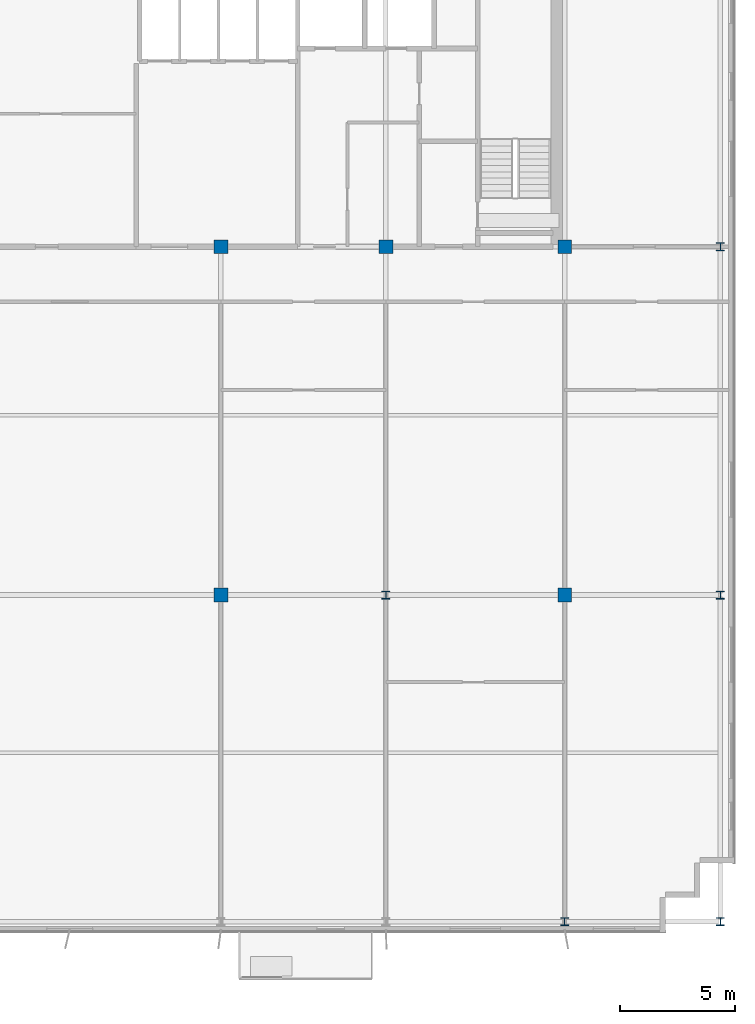
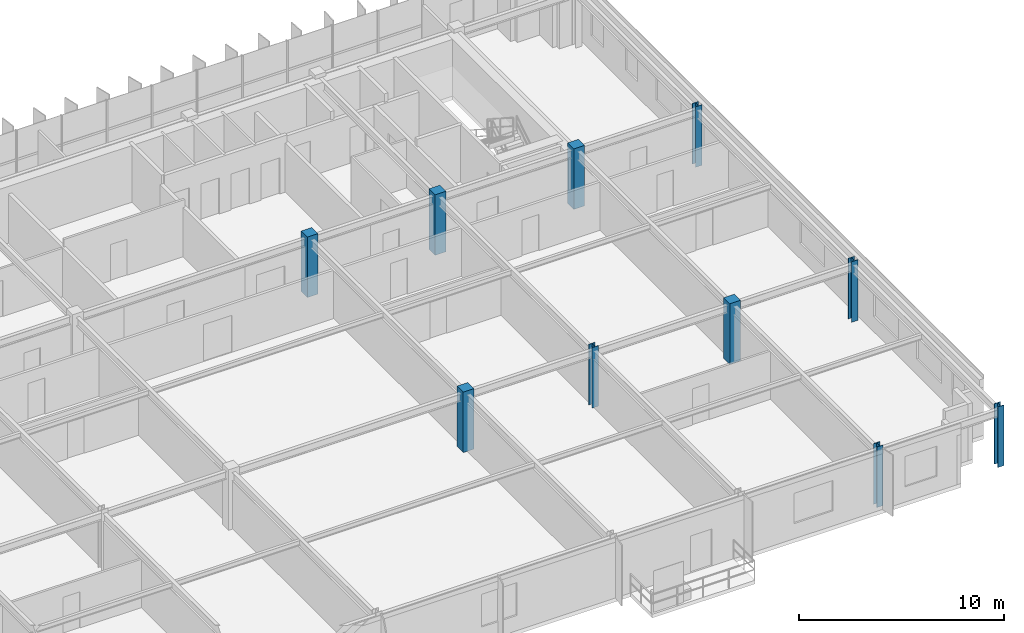
# One storey, part 2 of 21: 10 columns.
"""IFC4 building model written with IfcOpenShell, lengths in metres."""

from ifc_helpers import new_model, si_unit, direction, frame, origin, origin_2d, place, context, subcontext, project, spatial, rectangle, i_section, extrude, source, transform, mapped, material, material_profile, profile_set, type_object, element, save


model = new_model("IFC4")

# Units and contexts
model_context = context("Model", 3, precision=1e-05, world=origin(), true_north=direction((0.0, 1.0)))
body_context = subcontext(model_context, "Body", "Model", "MODEL_VIEW")
ifc_project = project(units=[si_unit("LENGTHUNIT", "METRE"), si_unit("AREAUNIT", "SQUARE_METRE"), si_unit("VOLUMEUNIT", "CUBIC_METRE"), si_unit("PLANEANGLEUNIT", "RADIAN"), si_unit("MASSUNIT", "GRAM", prefix="KILO")], contexts=[model_context])

# Site, building, storey
site_placement = place(None, origin())
site = spatial("IfcSite", under=ifc_project, at=site_placement, CompositionType="ELEMENT")
building_placement = place(site_placement, origin())
building = spatial("IfcBuilding", under=site, at=building_placement, Name="Trelvane Seafront Commons", CompositionType="ELEMENT")
storey_placement = place(building_placement, frame((0.0, 0.0, 252.300048828125)))
storey = spatial("IfcBuildingStorey", under=building, at=storey_placement, Name="L65", CompositionType="ELEMENT", Elevation=252.300048828125)

# Columns
ifc_material_1 = material(Name="Steel SM355 (S355)", Category="steel")
ifc_material_profile_1 = material_profile(ifc_material_1, i_section(OverallWidth=0.35009765625, OverallDepth=0.35009765625, WebThickness=0.01806640625, FlangeThickness=0.028076171875, at=origin_2d()), Name="HD-350x350x18x28")
ifc_profile_set_1 = profile_set([ifc_material_profile_1], Name="Steel SM355 (S355)")
column_type_1 = type_object("IfcColumnType", Name="STR-COL-HD350", PredefinedType="COLUMN", material=ifc_profile_set_1)
shared_shape_1 = source(origin(), body_context, "Body", "SweptSolid", [
    extrude(i_section(OverallWidth=0.35009765625, OverallDepth=0.35009765625, WebThickness=0.01806640625, FlangeThickness=0.028076171875, at=origin_2d()), origin(), (0.0, 0.0, 1.0), 3.599853515625),
])
for number, where, z_axis, x_axis, name in (
    (1, (51.0, 18.199951171875, 0.0), (0.0, 0.0, 1.0), (1.0, 0.0, 0.0), "L65 Column TC-M51.0"),
    (2, (58.800048828125, 3.949951171875, 0.0), (0.0, 0.0, 1.0), (1.0, 0.0, 0.0), "L65 Column TC-S58.8"),
    (3, (65.60009765625, 3.949951171875, 0.0), (0.0, 0.0, 1.0), (1.0, 0.0, 0.0), "L65 Column TC-S65.6"),
    (4, (65.60009765625, 18.199951171875, 0.0), (0.0, 0.0, 1.0), (1.0, 0.0, 0.0), "L65 Column TC-M65.6"),
    (5, (65.60009765625, 33.39990234375, 0.0), (0.0, 0.0, 1.0), (1.0, 0.0, 0.0), "L65 Column TC-CS65.6"),
):
    element("IfcColumn", number, at=place(storey_placement, frame(where, z_axis=z_axis, x_axis=x_axis)), inside=storey, type_object=column_type_1, Name=name, PredefinedType="COLUMN", context=body_context, shape_type="MappedRepresentation", body=[
        mapped(shared_shape_1, transform((0.0, 0.0, 0.0), x_axis=(1.0, 0.0, 0.0), y_axis=(0.0, 1.0, 0.0), z_axis=(0.0, 0.0, 1.0), scale=1.0)),
    ])
ifc_material_2 = material(Name="Concrete C50/60", Category="concrete")
ifc_material_profile_2 = material_profile(ifc_material_2, rectangle(XDim=0.60009765625, YDim=0.60009765625, at=origin_2d()), Name="RC-600x600")
ifc_profile_set_2 = profile_set([ifc_material_profile_2], Name="Concrete C50/60")
column_type_2 = type_object("IfcColumnType", Name="STR-COL-RC600", PredefinedType="COLUMN", material=ifc_profile_set_2)
shared_shape_2 = source(origin(), body_context, "Body", "SweptSolid", [
    extrude(rectangle(XDim=0.60009765625, YDim=0.60009765625, at=origin_2d()), origin(), (0.0, 0.0, 1.0), 3.599853515625),
])
for number, where, z_axis, x_axis, name in (
    (6, (43.800048828125, 18.199951171875, 0.0), (0.0, 0.0, 1.0), (1.0, 0.0, 0.0), "L65 Column TC-M43.8"),
    (7, (43.800048828125, 33.39990234375, 0.0), (0.0, 0.0, 1.0), (1.0, 0.0, 0.0), "L65 Column TC-CS43.8"),
    (8, (51.0, 33.39990234375, 0.0), (0.0, 0.0, 1.0), (1.0, 0.0, 0.0), "L65 Column TC-CS51.0"),
    (9, (58.800048828125, 18.199951171875, 0.0), (0.0, 0.0, 1.0), (1.0, 0.0, 0.0), "L65 Column TC-M58.8"),
    (10, (58.800048828125, 33.39990234375, 0.0), (0.0, 0.0, 1.0), (1.0, 0.0, 0.0), "L65 Column TC-CS58.8"),
):
    element("IfcColumn", number, at=place(storey_placement, frame(where, z_axis=z_axis, x_axis=x_axis)), inside=storey, type_object=column_type_2, Name=name, PredefinedType="COLUMN", context=body_context, shape_type="MappedRepresentation", body=[
        mapped(shared_shape_2, transform((0.0, 0.0, 0.0), x_axis=(1.0, 0.0, 0.0), y_axis=(0.0, 1.0, 0.0), z_axis=(0.0, 0.0, 1.0), scale=1.0)),
    ])

save(model, "model.ifc")
